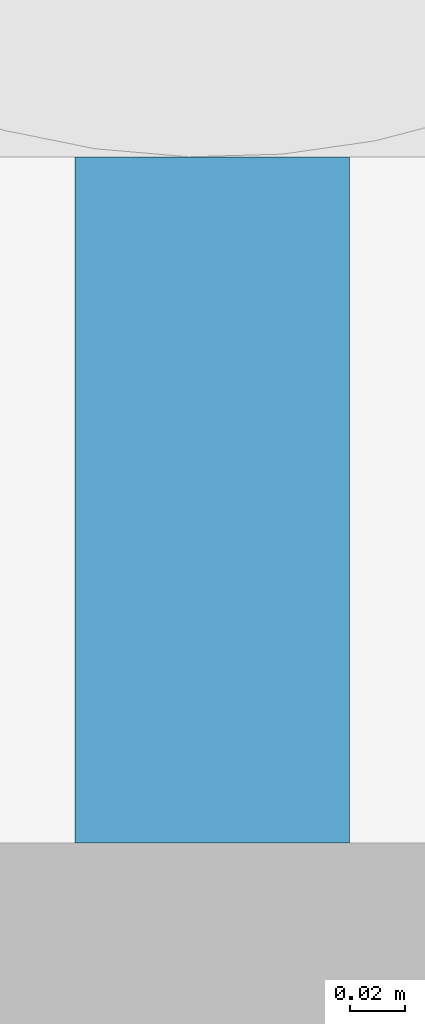
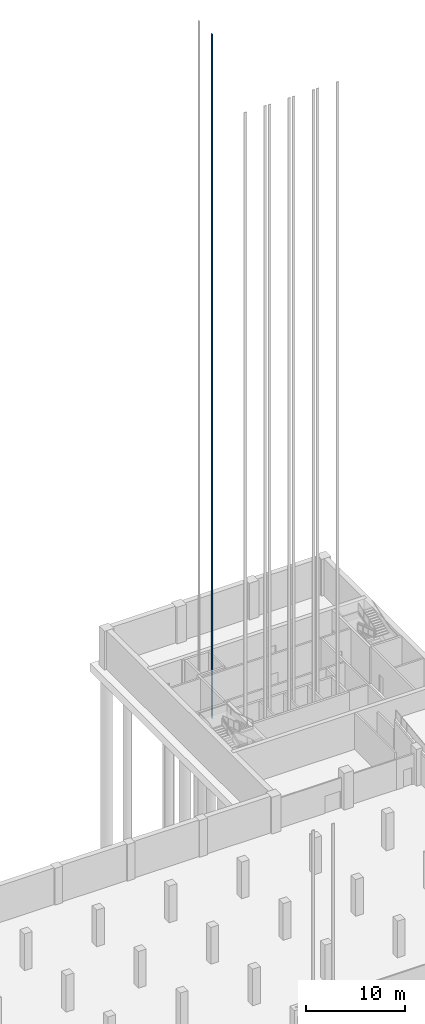
# One storey, part 20 of 26: 1 discrete accessory.
"""IFC4 building model written with IfcOpenShell, lengths in metres."""

from ifc_helpers import new_model, si_unit, direction, frame, origin, origin_2d, place, context, subcontext, project, spatial, rectangle, extrude, material, type_object, element, save


model = new_model("IFC4")

# Units and contexts
model_context = context("Model", 3, precision=1e-05, world=origin(), true_north=direction((0.0, 1.0)))
body_context = subcontext(model_context, "Body", "Model", "MODEL_VIEW")
ifc_project = project(units=[si_unit("LENGTHUNIT", "METRE"), si_unit("AREAUNIT", "SQUARE_METRE"), si_unit("VOLUMEUNIT", "CUBIC_METRE"), si_unit("PLANEANGLEUNIT", "RADIAN"), si_unit("MASSUNIT", "GRAM", prefix="KILO")], contexts=[model_context])

# Site, building, storey
site_placement = place(None, origin())
site = spatial("IfcSite", under=ifc_project, at=site_placement, CompositionType="ELEMENT")
building_placement = place(site_placement, origin())
building = spatial("IfcBuilding", under=site, at=building_placement, Name="Rulbaag Community and Learning Centre", CompositionType="ELEMENT")
storey_placement = place(building_placement, frame((0.0, 0.0, -9.60009765625)))
storey = spatial("IfcBuildingStorey", under=building, at=storey_placement, Name="B2", CompositionType="ELEMENT", Elevation=-9.60009765625)

# Discrete accessory
ifc_material = material(Name="Steel E350", Category="steel")
discrete_accessory_type = type_object("IfcDiscreteAccessoryType", Name="LR-GUIDE RAIL 300 x 100", PredefinedType="BRACKET", material=ifc_material)
discrete_accessory_placement = place(storey_placement, frame((148.300048828125, 105.925048828125, -1.5), z_axis=(0.0, 0.0, 1.0), x_axis=(1.0, 0.0, 0.0)))
element("IfcDiscreteAccessory", 1, at=discrete_accessory_placement, inside=storey, type_object=discrete_accessory_type, Name="Guide rail LF1 S", PredefinedType="BRACKET", context=body_context, shape_type="SweptSolid", body=[
    extrude(rectangle(XDim=0.10009765625, YDim=0.25, at=origin_2d()), origin(), (0.0, 0.0, 1.0), 83.949951171875),
])

save(model, "model.ifc")
